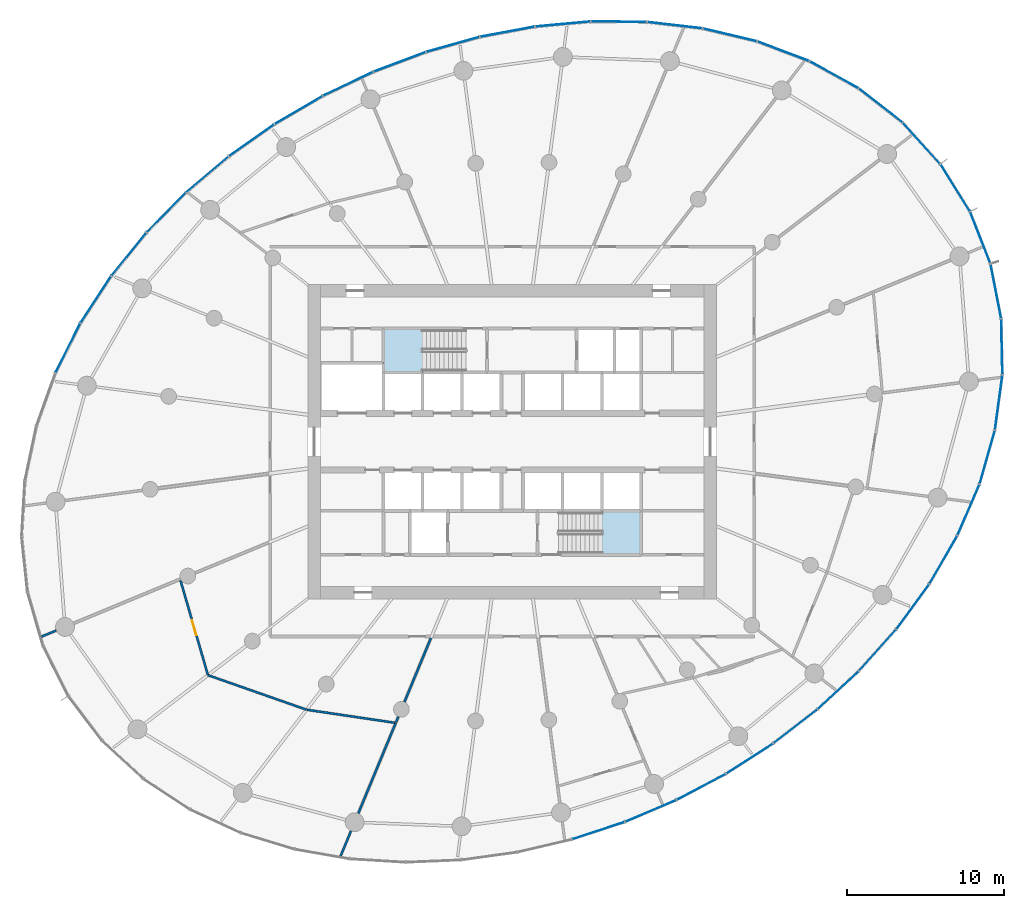
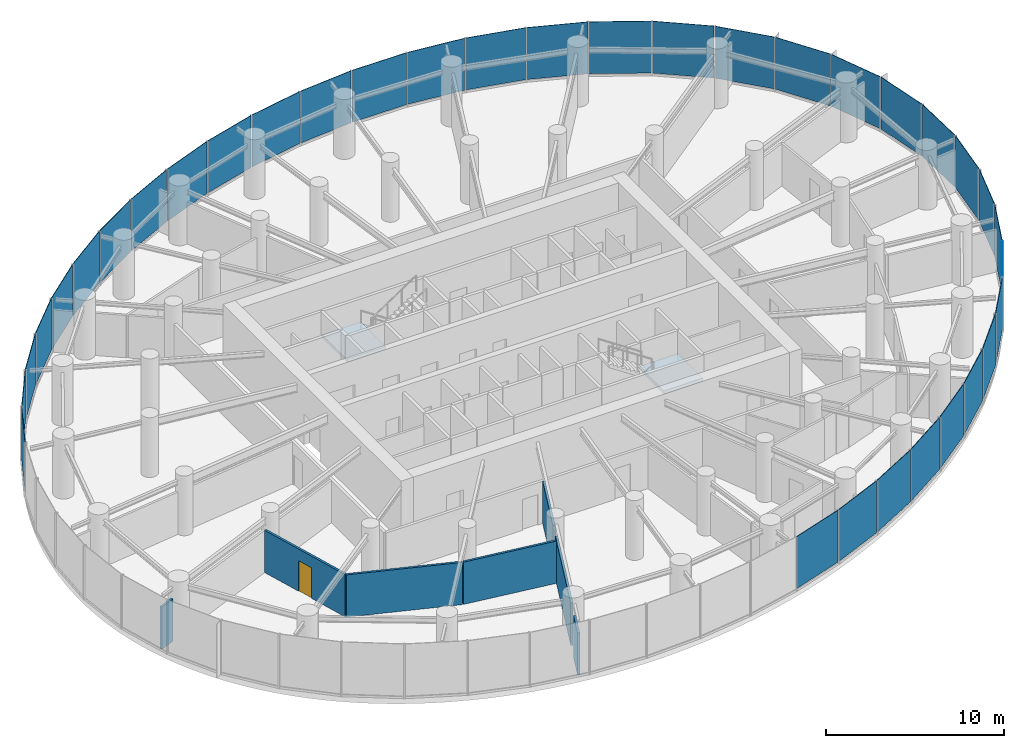
# One storey, part 9 of 17: 35 plates, 8 walls, 2 slabs, 1 door, 1 opening, 9 elements without a shape of their own.
"""IFC4 building model written with IfcOpenShell, lengths in metres."""

import ifcopenshell
import ifcopenshell.guid

model = None  # the IFC model being written
_history = None  # IfcOwnerHistory: only IFC2X3 demands one
_inside = {}  # id of a spatial element -> (the spatial element, [elements in it])
_under = {}  # id of a project, library or spatial element -> (it, [spatial elements below it])
_declared = {}  # id of a project -> (the project, [libraries it declares])
_typed = {}  # id of a type object -> (the type object, [elements of that type])
_made_of = {}  # id of a material, layer set ... -> (it, [elements and type objects made of it])


def new_model(schema):
    """Start an empty IFC model of exactly this schema.

    Asked for "IFC4X3", IfcOpenShell would pick the latest addendum, in which some entities
    have other attributes; the version numbers below select the first issue.
    IFC2X3 requires an IfcOwnerHistory on every rooted entity: one is made here for all.
    """
    global model, _history
    if schema == "IFC4X3":
        model = ifcopenshell.file(schema_version=(4, 3, 0, 0))
    else:
        model = ifcopenshell.file(schema=schema)
    _inside.clear()
    _under.clear()
    _declared.clear()
    _typed.clear()
    _made_of.clear()
    _history = None
    if model.schema == "IFC2X3":
        org = make("IfcOrganization", Name="unknown")
        user = make(
            "IfcPersonAndOrganization",
            ThePerson=make("IfcPerson", FamilyName="unknown"),
            TheOrganization=org,
        )
        app = make(
            "IfcApplication",
            ApplicationDeveloper=org,
            Version="unknown",
            ApplicationFullName="unknown",
            ApplicationIdentifier="unknown",
        )
        _history = make(
            "IfcOwnerHistory",
            OwningUser=user,
            OwningApplication=app,
            ChangeAction="ADDED",
            CreationDate=0,
        )
    return model


def make(cls, **values):
    """One entity of the class cls with the attributes given. An attribute that is None is left unset."""
    return model.create_entity(
        cls, **{name: value for name, value in values.items() if value is not None}
    )


def rooted(cls, **values):
    """An entity with a GlobalId (a new one), such as an element, a storey or a relation."""
    return make(cls, GlobalId=ifcopenshell.guid.new(), OwnerHistory=_history, **values)


def si_unit(unit_type, name, prefix=None):
    """IfcSIUnit, for example si_unit("LENGTHUNIT", "METRE", prefix="MILLI")."""
    return make("IfcSIUnit", UnitType=unit_type, Prefix=prefix, Name=name)


def assignment(units):
    """IfcUnitAssignment: the units of a project."""
    return None if units is None else make("IfcUnitAssignment", Units=units)


def point(xyz):
    """IfcCartesianPoint."""
    return None if xyz is None else make("IfcCartesianPoint", Coordinates=xyz)


def direction(xyz):
    """IfcDirection."""
    return None if xyz is None else make("IfcDirection", DirectionRatios=xyz)


def frame(location, z_axis=None, x_axis=None):
    """IfcAxis2Placement3D, a coordinate frame: its origin and axes. An axis left out is left unset."""
    return make(
        "IfcAxis2Placement3D",
        Location=point(location),
        Axis=direction(z_axis),
        RefDirection=direction(x_axis),
    )


def frame_2d(location, x_axis=None):
    """IfcAxis2Placement2D, a coordinate frame in the plane: its origin and x axis."""
    return make(
        "IfcAxis2Placement2D", Location=point(location), RefDirection=direction(x_axis)
    )


def origin():
    """The frame at (0, 0, 0) with its axes left unset."""
    return frame((0.0, 0.0, 0.0))


def origin_2d():
    """The frame at (0, 0) in the plane with its x axis left unset."""
    return frame_2d((0.0, 0.0))


def place(relative_to, where):
    """IfcLocalPlacement: puts the frame where relative to a parent placement (None: the world)."""
    return make(
        "IfcLocalPlacement", PlacementRelTo=relative_to, RelativePlacement=where
    )


def context(
    kind, dimensions, precision=None, world=None, true_north=None, identifier=None
):
    """IfcGeometricRepresentationContext, for example the 3D "Model" context."""
    return make(
        "IfcGeometricRepresentationContext",
        ContextIdentifier=identifier,
        ContextType=kind,
        CoordinateSpaceDimension=dimensions,
        Precision=precision,
        WorldCoordinateSystem=world,
        TrueNorth=true_north,
    )


def subcontext(parent, identifier, kind, view, scale=None):
    """IfcGeometricRepresentationSubContext, for example "Body" below "Model"."""
    return make(
        "IfcGeometricRepresentationSubContext",
        ContextIdentifier=identifier,
        ContextType=kind,
        ParentContext=parent,
        TargetScale=scale,
        TargetView=view,
    )


def project(units=None, contexts=None):
    """IfcProject with its units and contexts."""
    return rooted(
        "IfcProject",
        Name="project",
        RepresentationContexts=contexts,
        UnitsInContext=assignment(units),
    )


def spatial(cls, under=None, at=None, **own):
    """A site, building, storey or space (cls), placed at a placement, below another one or the project."""
    s = rooted(cls, ObjectPlacement=at, **own)
    if under is not None:
        _under.setdefault(under.id(), (under, []))[1].append(s)
    return s


def point_list(points):
    """IfcCartesianPointList2D or 3D."""
    cls = (
        "IfcCartesianPointList2D" if len(points[0]) == 2 else "IfcCartesianPointList3D"
    )
    return make(cls, CoordList=points)


def line(*indices):
    """IfcLineIndex: a straight run through numbered points of an indexed curve."""
    return model.create_entity("IfcLineIndex", indices)


def indexed_curve(points, segments=None, self_intersect=None):
    """IfcIndexedPolyCurve: lines and arcs through numbered points (the first is 1)."""
    return make(
        "IfcIndexedPolyCurve",
        Points=point_list(points),
        Segments=segments,
        SelfIntersect=self_intersect,
    )


def profile(cls, at=None, kind="AREA", **sizes):
    """A parametric profile (cls). Its sizes go by their IFC names, for example OverallWidth=200.0."""
    return make(cls, ProfileType=kind, Position=at, **sizes)


def rectangle(**sizes):
    """IfcRectangleProfileDef."""
    return profile("IfcRectangleProfileDef", **sizes)


def outline(outer, holes=None, kind="AREA"):
    """IfcArbitraryClosedProfileDef: a profile drawn as a closed curve; with holes, ...WithVoids."""
    if holes is None:
        return make("IfcArbitraryClosedProfileDef", ProfileType=kind, OuterCurve=outer)
    return make(
        "IfcArbitraryProfileDefWithVoids",
        ProfileType=kind,
        OuterCurve=outer,
        InnerCurves=holes,
    )


def extrude(swept, where, along, depth):
    """IfcExtrudedAreaSolid: the profile swept, set in the frame where, extruded along a direction by depth."""
    return make(
        "IfcExtrudedAreaSolid",
        SweptArea=swept,
        Position=where,
        ExtrudedDirection=direction(along),
        Depth=depth,
    )


def shape(context_of_items, identifier, shape_type, items):
    """IfcShapeRepresentation: the items that make up one representation, for example the "Body"."""
    return make(
        "IfcShapeRepresentation",
        ContextOfItems=context_of_items,
        RepresentationIdentifier=identifier,
        RepresentationType=shape_type,
        Items=items,
    )


def source(mapping_origin, context_of_items, identifier, shape_type, items):
    """IfcRepresentationMap: a shape defined once, which mapped items show again and again."""
    return make(
        "IfcRepresentationMap",
        MappingOrigin=mapping_origin,
        MappedRepresentation=shape(context_of_items, identifier, shape_type, items),
    )


def transform(
    local_origin,
    x_axis=None,
    y_axis=None,
    z_axis=None,
    scale=None,
    scale2=None,
    scale3=None,
    uniform=True,
):
    """IfcCartesianTransformationOperator3D, or its non-uniform kind. x_axis, y_axis, z_axis: its Axis1, 2, 3."""
    if uniform:
        return make(
            "IfcCartesianTransformationOperator3D",
            Axis1=direction(x_axis),
            Axis2=direction(y_axis),
            LocalOrigin=point(local_origin),
            Scale=scale,
            Axis3=direction(z_axis),
        )
    return make(
        "IfcCartesianTransformationOperator3DnonUniform",
        Axis1=direction(x_axis),
        Axis2=direction(y_axis),
        LocalOrigin=point(local_origin),
        Scale=scale,
        Axis3=direction(z_axis),
        Scale2=scale2,
        Scale3=scale3,
    )


def mapped(mapping_source, mapping_target):
    """IfcMappedItem: shows the shape of a source again, moved by a transform."""
    return make(
        "IfcMappedItem", MappingSource=mapping_source, MappingTarget=mapping_target
    )


def material(Name=None, Category=None):
    """IfcMaterial."""
    return make("IfcMaterial", Name=Name, Category=Category)


def layer(
    of_material, thickness, ventilated=None, Name=None, Category=None, Priority=None
):
    """IfcMaterialLayer: one layer of a wall or slab, of a material (None: an air gap)."""
    return make(
        "IfcMaterialLayer",
        Material=of_material,
        LayerThickness=thickness,
        IsVentilated=ventilated,
        Name=Name,
        Category=Category,
        Priority=Priority,
    )


def layer_set(layers, Name=None):
    """IfcMaterialLayerSet."""
    return make("IfcMaterialLayerSet", MaterialLayers=layers, LayerSetName=Name)


def made_of(thing, what):
    """Note that an element or type object is made of a material, layer set ...; save() writes the relation."""
    if what is not None:
        _made_of.setdefault(what.id(), (what, []))[1].append(thing)
    return thing


def type_object(cls, material=None, **own):
    """A type object (cls), such as IfcWallType, which elements share."""
    return made_of(rooted(cls, **own), material)


def element(
    cls,
    number,
    at=None,
    inside=None,
    cuts=None,
    type_object=None,
    material=None,
    context=None,
    identifier="Body",
    shape_type=None,
    held_by="IfcProductDefinitionShape",
    body=None,
    shapes=None,
    **own,
):
    """One element of the class cls, such as IfcWall. Its Tag is "e" and its number.

    at: its placement. inside: the storey or other place that contains it. cuts: it is an
    opening in that element (IfcRelVoidsElement). A single representation is given by context,
    identifier, shape_type and body (its items); several are given by shapes. held_by: the class
    of the entity that holds the representations. save() writes the other relations.
    """
    e = rooted(cls, Tag="e%d" % number, ObjectPlacement=at, **own)
    if body is not None:
        shapes = [shape(context, identifier, shape_type, body)]
    if shapes is not None:
        e.Representation = make(held_by, Representations=shapes)
    if inside is not None:
        _inside.setdefault(inside.id(), (inside, []))[1].append(e)
    if cuts is not None:
        rooted(
            "IfcRelVoidsElement", RelatingBuildingElement=cuts, RelatedOpeningElement=e
        )
    if type_object is not None:
        _typed.setdefault(type_object.id(), (type_object, []))[1].append(e)
    return made_of(e, material)


def fill(opening, filler):
    """IfcRelFillsElement: the door or window that sits in an opening."""
    return rooted(
        "IfcRelFillsElement",
        RelatingOpeningElement=opening,
        RelatedBuildingElement=filler,
    )


def aggregate(whole, parts):
    """IfcRelAggregates: a whole, such as a stair, and the parts it consists of."""
    return rooted("IfcRelAggregates", RelatingObject=whole, RelatedObjects=parts)


def save(model, path):
    """Write the relations noted so far, then the file.

    IfcRelAggregates (storeys below a building ...), IfcRelContainedInSpatialStructure (elements
    in a storey), IfcRelDefinesByType, IfcRelAssociatesMaterial and IfcRelDeclares: one each for
    every whole, place, type object, material and project.
    """
    for whole, parts in _under.values():
        aggregate(whole, parts)
    for where, things in _inside.values():
        rooted(
            "IfcRelContainedInSpatialStructure",
            RelatedElements=things,
            RelatingStructure=where,
        )
    for kind, things in _typed.values():
        rooted("IfcRelDefinesByType", RelatedObjects=things, RelatingType=kind)
    for what, things in _made_of.values():
        rooted("IfcRelAssociatesMaterial", RelatedObjects=things, RelatingMaterial=what)
    for by, libraries in _declared.values():
        rooted("IfcRelDeclares", RelatingContext=by, RelatedDefinitions=libraries)
    model.write(path)


model = new_model("IFC4")

# Units and contexts
model_context = context("Model", 3, precision=1e-05, world=origin(), true_north=direction((0.0, 1.0)))
body_context = subcontext(model_context, "Body", "Model", "MODEL_VIEW")
ifc_project = project(units=[si_unit("LENGTHUNIT", "METRE"), si_unit("AREAUNIT", "SQUARE_METRE"), si_unit("VOLUMEUNIT", "CUBIC_METRE"), si_unit("PLANEANGLEUNIT", "RADIAN"), si_unit("MASSUNIT", "GRAM", prefix="KILO")], contexts=[model_context])

# Site, building, storey
site_placement = place(None, origin())
site = spatial("IfcSite", under=ifc_project, at=site_placement, CompositionType="ELEMENT")
building_placement = place(site_placement, origin())
building = spatial("IfcBuilding", under=site, at=building_placement, Name="Spindrift Exchange Tower", CompositionType="ELEMENT")
storey_placement = place(building_placement, frame((0.0, 0.0, 104.39990234375)))
storey = spatial("IfcBuildingStorey", under=building, at=storey_placement, Name="L24", CompositionType="ELEMENT", Elevation=104.39990234375)

# Stair, slab
ifc_material_1 = material(Name="Concrete 50 MPa", Category="concrete")
stair_type = type_object("IfcStairType", Name="ST-1250-R186", PredefinedType="HALF_TURN_STAIR", material=ifc_material_1)
stair_1_placement = place(storey_placement, origin())
stair_1 = element("IfcStair", 1, at=stair_1_placement, inside=storey, type_object=stair_type, Name="L24 Exit stair ST1", PredefinedType="HALF_TURN_STAIR")
ifc_layer_1 = layer(ifc_material_1, 0.199951171875)
ifc_layer_set_1 = layer_set([ifc_layer_1], Name="SL-LANDING")
slab_type = type_object("IfcSlabType", Name="SL-LANDING", PredefinedType="LANDING", material=ifc_layer_set_1)
slab_1_placement = place(storey_placement, frame((0.0, 0.0, 1.85009765625)))
slab_1 = element("IfcSlab", 2, at=slab_1_placement, type_object=slab_type, Name="ST1 landing 1", PredefinedType="LANDING", context=body_context, shape_type="SweptSolid", body=[
    extrude(outline(indexed_curve([(46.330078125, 52.39990234375), (43.800048828125, 52.39990234375), (43.800048828125, 55.199951171875), (46.330078125, 55.199951171875)], segments=[line(1, 2, 3, 4, 1)], self_intersect=False)), origin(), (0.0, 0.0, 1.0), 0.199951171875),
])
aggregate(stair_1, [slab_1])

stair_2_placement = place(storey_placement, origin())
stair_2 = element("IfcStair", 3, at=stair_2_placement, inside=storey, type_object=stair_type, Name="L24 Exit stair ST2", PredefinedType="HALF_TURN_STAIR")
slab_2_placement = place(storey_placement, frame((0.0, 0.0, 1.85009765625)))
slab_2 = element("IfcSlab", 4, at=slab_2_placement, type_object=slab_type, Name="ST2 landing 1", PredefinedType="LANDING", context=body_context, shape_type="SweptSolid", body=[
    extrude(outline(indexed_curve([(57.669921875, 43.60009765625), (60.199951171875, 43.60009765625), (60.199951171875, 40.800048828125), (57.669921875, 40.800048828125)], segments=[line(1, 2, 3, 4, 1)], self_intersect=False)), origin(), (0.0, 0.0, 1.0), 0.199951171875),
])
aggregate(stair_2, [slab_2])

# Curtain wall, plate
ifc_material_2 = material(Name="Fritted laminated glass with bronze frame", Category="glass")
ifc_layer_2 = layer(ifc_material_2, 0.18994140625)
ifc_layer_set_2 = layer_set([ifc_layer_2], Name="ZONE 2 BRONZE FRITTED WALL")
curtain_wall_type = type_object("IfcCurtainWallType", Name="ZONE 2 BRONZE FRITTED WALL", PredefinedType="NOTDEFINED", material=ifc_layer_set_2)
curtain_wall_1_placement = place(storey_placement, origin())
curtain_wall_1 = element("IfcCurtainWall", 5, at=curtain_wall_1_placement, inside=storey, type_object=curtain_wall_type, Name="L24 Zone 2 Bronze Fritted Wall run 3", PredefinedType="NOTDEFINED")
ifc_material_3 = material(Name="Bronze fritted laminated glass, close frit", Category="glass")
ifc_layer_3 = layer(ifc_material_3, 0.033935546875)
ifc_layer_set_3 = layer_set([ifc_layer_3], Name="ZONE 2 BRONZE FRITTED WALL PANEL CLOSE FRIT 420")
plate_type_1 = type_object("IfcPlateType", Name="ZONE 2 BRONZE FRITTED WALL PANEL CLOSE FRIT 420", PredefinedType="CURTAIN_PANEL", material=ifc_layer_set_3)
shared_shape_1 = source(origin(), body_context, "Body", "SweptSolid", [
    extrude(rectangle(XDim=3.491455078125, YDim=0.033935546875, at=origin_2d()), origin(), (0.0, 0.0, 1.0), 3.56005859375),
])
plate_1_placement = place(storey_placement, frame((32.593505859375, 64.991455078125, 0.14013671875), z_axis=(0.0, 0.0, 1.0), x_axis=(-0.763801661286, -0.645451022322, 0.0)))
plate_1 = element("IfcPlate", 6, at=plate_1_placement, type_object=plate_type_1, Name="L24 panel CW-2.16", PredefinedType="CURTAIN_PANEL", context=body_context, shape_type="MappedRepresentation", body=[
    mapped(shared_shape_1, transform((0.0, 0.0, 0.0), scale=1.0)),
])

curtain_wall_2_placement = place(storey_placement, origin())
curtain_wall_2 = element("IfcCurtainWall", 7, at=curtain_wall_2_placement, inside=storey, type_object=curtain_wall_type, Name="L24 Zone 2 Bronze Fritted Wall run 7", PredefinedType="NOTDEFINED")
plate_2_placement = place(storey_placement, frame((72.740966796875, 32.189208984375, 0.14013671875), z_axis=(0.0, 0.0, 1.0), x_axis=(0.733996623897, 0.679153116836, 0.0)))
plate_2 = element("IfcPlate", 8, at=plate_2_placement, type_object=plate_type_1, Name="L24 panel CW-2.42", PredefinedType="CURTAIN_PANEL", context=body_context, shape_type="MappedRepresentation", body=[
    mapped(shared_shape_1, transform((0.0, 0.0, 0.0), scale=1.0)),
])

# Curtain wall, plates
curtain_wall_3_placement = place(storey_placement, origin())
curtain_wall_3 = element("IfcCurtainWall", 9, at=curtain_wall_3_placement, inside=storey, type_object=curtain_wall_type, Name="L24 Zone 2 Bronze Fritted Wall run 2", PredefinedType="NOTDEFINED")
ifc_layer_4 = layer(ifc_material_3, 0.033935546875)
ifc_layer_set_4 = layer_set([ifc_layer_4], Name="ZONE 2 BRONZE FRITTED WALL PANEL CLOSE FRIT 300")
plate_type_2 = type_object("IfcPlateType", Name="ZONE 2 BRONZE FRITTED WALL PANEL CLOSE FRIT 300", PredefinedType="CURTAIN_PANEL", material=ifc_layer_set_4)
shared_shape_2 = source(origin(), body_context, "Body", "SweptSolid", [
    extrude(rectangle(XDim=3.491455078125, YDim=0.033935546875, at=origin_2d()), origin(), (0.0, 0.0, 1.0), 3.56005859375),
])
plate_3_placement = place(storey_placement, frame((55.22412109375, 74.5673828125, 0.14013671875), z_axis=(0.0, 0.0, 1.0), x_axis=(-0.995856987441, -0.09093327535, 0.0)))
plate_3 = element("IfcPlate", 10, at=plate_3_placement, type_object=plate_type_2, Name="L24 panel CW-2.9", PredefinedType="CURTAIN_PANEL", context=body_context, shape_type="MappedRepresentation", body=[
    mapped(shared_shape_2, transform((0.0, 0.0, 0.0), scale=1.0)),
])
plate_4_placement = place(storey_placement, frame((51.6953125, 74.078125, 0.14013671875), z_axis=(0.0, 0.0, 1.0), x_axis=(-0.983016800701, -0.183515583914, 0.0)))
plate_4 = element("IfcPlate", 11, at=plate_4_placement, type_object=plate_type_2, Name="L24 panel CW-2.10", PredefinedType="CURTAIN_PANEL", context=body_context, shape_type="MappedRepresentation", body=[
    mapped(shared_shape_2, transform((0.0, 0.0, 0.0), scale=1.0)),
])
shared_shape_3 = source(origin(), body_context, "Body", "SweptSolid", [
    extrude(rectangle(XDim=3.49169921875, YDim=0.033935546875, at=origin_2d()), origin(), (0.0, 0.0, 1.0), 3.56005859375),
])
plate_5_placement = place(storey_placement, frame((48.225341796875, 73.26904296875, 0.14013671875), z_axis=(0.0, 0.0, 1.0), x_axis=(-0.962788503614, -0.270255984779, 0.0)))
plate_5 = element("IfcPlate", 12, at=plate_5_placement, type_object=plate_type_1, Name="L24 panel CW-2.11", PredefinedType="CURTAIN_PANEL", context=body_context, shape_type="MappedRepresentation", body=[
    mapped(shared_shape_3, transform((0.0, 0.0, 0.0), scale=1.0)),
])

# Plate
plate_6_placement = place(storey_placement, frame((38.410400390625, 69.097412109375, 0.14013671875), z_axis=(0.0, 0.0, 1.0), x_axis=(-0.863390267159, -0.504536665244, 0.0)))
plate_6 = element("IfcPlate", 13, at=plate_6_placement, type_object=plate_type_1, Name="L24 panel CW-2.14", PredefinedType="CURTAIN_PANEL", context=body_context, shape_type="MappedRepresentation", body=[
    mapped(shared_shape_3, transform((0.0, 0.0, 0.0), scale=1.0)),
])

plate_7_placement = place(storey_placement, frame((57.479736328125, 23.24951171875, 0.14013671875), z_axis=(0.0, 0.0, 1.0), x_axis=(0.950164301143, 0.311749580326, 0.0)))
plate_7 = element("IfcPlate", 14, at=plate_7_placement, type_object=plate_type_1, Name="L24 panel CW-2.37", PredefinedType="CURTAIN_PANEL", context=body_context, shape_type="MappedRepresentation", body=[
    mapped(shared_shape_3, transform((0.0, 0.0, 0.0), scale=1.0)),
])

plate_8_placement = place(storey_placement, frame((70.0205078125, 29.888427734375, 0.14013671875), z_axis=(0.0, 0.0, 1.0), x_axis=(0.79152762014, 0.611133395059, 0.0)))
plate_8 = element("IfcPlate", 15, at=plate_8_placement, type_object=plate_type_1, Name="L24 panel CW-2.41", PredefinedType="CURTAIN_PANEL", context=body_context, shape_type="MappedRepresentation", body=[
    mapped(shared_shape_3, transform((0.0, 0.0, 0.0), scale=1.0)),
])

shared_shape_4 = source(origin(), body_context, "Body", "SweptSolid", [
    extrude(rectangle(XDim=3.49169921875, YDim=0.033935546875, at=origin_2d()), origin(), (0.0, 0.0, 1.0), 3.56005859375),
])
plate_9_placement = place(storey_placement, frame((64.0322265625, 26.035888671875, 0.14013671875), z_axis=(0.0, 0.0, 1.0), x_axis=(0.883906877446, 0.467662947007, 0.0)))
plate_9 = element("IfcPlate", 16, at=plate_9_placement, type_object=plate_type_2, Name="L24 panel CW-2.39", PredefinedType="CURTAIN_PANEL", context=body_context, shape_type="MappedRepresentation", body=[
    mapped(shared_shape_4, transform((0.0, 0.0, 0.0), scale=1.0)),
])

ifc_layer_5 = layer(ifc_material_3, 0.033935546875)
ifc_layer_set_5 = layer_set([ifc_layer_5], Name="ZONE 2 BRONZE FRITTED WALL PANEL CLOSE FRIT 540")
plate_type_3 = type_object("IfcPlateType", Name="ZONE 2 BRONZE FRITTED WALL PANEL CLOSE FRIT 540", PredefinedType="CURTAIN_PANEL", material=ifc_layer_set_5)
shared_shape_5 = source(origin(), body_context, "Body", "SweptSolid", [
    extrude(rectangle(XDim=3.49169921875, YDim=0.033935546875, at=origin_2d()), origin(), (0.0, 0.0, 1.0), 3.56005859375),
])
plate_10_placement = place(storey_placement, frame((44.83935546875, 72.158935546875, 0.14013671875), z_axis=(0.0, 0.0, 1.0), x_axis=(-0.935944038401, -0.352148771092, 0.0)))
plate_10 = element("IfcPlate", 17, at=plate_10_placement, type_object=plate_type_3, Name="L24 panel CW-2.12", PredefinedType="CURTAIN_PANEL", context=body_context, shape_type="MappedRepresentation", body=[
    mapped(shared_shape_5, transform((0.0, 0.0, 0.0), scale=1.0)),
])

plate_11_placement = place(storey_placement, frame((41.560302734375, 70.76416015625, 0.14013671875), z_axis=(0.0, 0.0, 1.0), x_axis=(-0.902825586322, -0.43000693097, 0.0)))
plate_11 = element("IfcPlate", 18, at=plate_11_placement, type_object=plate_type_3, Name="L24 panel CW-2.13", PredefinedType="CURTAIN_PANEL", context=body_context, shape_type="MappedRepresentation", body=[
    mapped(shared_shape_5, transform((0.0, 0.0, 0.0), scale=1.0)),
])

plate_12_placement = place(storey_placement, frame((35.4130859375, 67.170166015625, 0.14013671875), z_axis=(0.0, 0.0, 1.0), x_axis=(-0.817277677121, -0.576244044204, 0.0)))
plate_12 = element("IfcPlate", 19, at=plate_12_placement, type_object=plate_type_3, Name="L24 panel CW-2.15", PredefinedType="CURTAIN_PANEL", context=body_context, shape_type="MappedRepresentation", body=[
    mapped(shared_shape_5, transform((0.0, 0.0, 0.0), scale=1.0)),
])

plate_13_placement = place(storey_placement, frame((60.81494140625, 24.503662109375, 0.14013671875), z_axis=(0.0, 0.0, 1.0), x_axis=(0.920160108943, 0.391542301558, 0.0)))
plate_13 = element("IfcPlate", 20, at=plate_13_placement, type_object=plate_type_3, Name="L24 panel CW-2.38", PredefinedType="CURTAIN_PANEL", context=body_context, shape_type="MappedRepresentation", body=[
    mapped(shared_shape_5, transform((0.0, 0.0, 0.0), scale=1.0)),
])

plate_14_placement = place(storey_placement, frame((67.10888671875, 27.834228515625, 0.14013671875), z_axis=(0.0, 0.0, 1.0), x_axis=(0.841199486299, 0.540724906261, 0.0)))
plate_14 = element("IfcPlate", 21, at=plate_14_placement, type_object=plate_type_3, Name="L24 panel CW-2.40", PredefinedType="CURTAIN_PANEL", context=body_context, shape_type="MappedRepresentation", body=[
    mapped(shared_shape_5, transform((0.0, 0.0, 0.0), scale=1.0)),
])

aggregate(curtain_wall_2, [plate_7, plate_13, plate_9, plate_14, plate_8, plate_2])

shared_shape_6 = source(origin(), body_context, "Body", "SweptSolid", [
    extrude(rectangle(XDim=3.4912109375, YDim=0.033935546875, at=origin_2d()), origin(), (0.0, 0.0, 1.0), 3.56005859375),
])
plate_15_placement = place(storey_placement, frame((27.6044921875, 59.915771484375, 0.14013671875), z_axis=(0.0, 0.0, 1.0), x_axis=(-0.630232797468, -0.776406221636, 0.0)))
plate_15 = element("IfcPlate", 22, at=plate_15_placement, type_object=plate_type_2, Name="L24 panel CW-2.18", PredefinedType="CURTAIN_PANEL", context=body_context, shape_type="MappedRepresentation", body=[
    mapped(shared_shape_6, transform((0.0, 0.0, 0.0), scale=1.0)),
])

# Curtain wall, plate
curtain_wall_4_placement = place(storey_placement, origin())
curtain_wall_4 = element("IfcCurtainWall", 23, at=curtain_wall_4_placement, inside=storey, type_object=curtain_wall_type, Name="L24 Zone 2 Bronze Fritted Wall run 4", PredefinedType="NOTDEFINED")
shared_shape_7 = source(origin(), body_context, "Body", "SweptSolid", [
    extrude(rectangle(XDim=3.49072265625, YDim=0.033935546875, at=origin_2d()), origin(), (0.0, 0.0, 1.0), 3.56005859375),
])
plate_16_placement = place(storey_placement, frame((23.727783203125, 53.953857421875, 0.14013671875), z_axis=(0.0, 0.0, 1.0), x_axis=(-0.450037656846, -0.893009578571, 0.0)))
plate_16 = element("IfcPlate", 24, at=plate_16_placement, type_object=plate_type_1, Name="L24 panel CW-2.20", PredefinedType="CURTAIN_PANEL", context=body_context, shape_type="MappedRepresentation", body=[
    mapped(shared_shape_7, transform((0.0, 0.0, 0.0), scale=1.0)),
])

curtain_wall_5_placement = place(storey_placement, origin())
curtain_wall_5 = element("IfcCurtainWall", 25, at=curtain_wall_5_placement, inside=storey, type_object=curtain_wall_type, Name="L24 Zone 2 Bronze Fritted Wall run 8", PredefinedType="NOTDEFINED")
plate_17_placement = place(storey_placement, frame((79.426513671875, 40.47900390625, 0.14013671875), z_axis=(0.0, 0.0, 1.0), x_axis=(0.50033400418, 0.865832480484, 0.0)))
plate_17 = element("IfcPlate", 26, at=plate_17_placement, type_object=plate_type_1, Name="L24 panel CW-2.45", PredefinedType="CURTAIN_PANEL", context=body_context, shape_type="MappedRepresentation", body=[
    mapped(shared_shape_7, transform((0.0, 0.0, 0.0), scale=1.0)),
])

curtain_wall_6_placement = place(storey_placement, origin())
curtain_wall_6 = element("IfcCurtainWall", 27, at=curtain_wall_6_placement, inside=storey, type_object=curtain_wall_type, Name="L24 Zone 2 Bronze Fritted Wall run 1", PredefinedType="NOTDEFINED")
shared_shape_8 = source(origin(), body_context, "Body", "SweptSolid", [
    extrude(rectangle(XDim=3.48779296875, YDim=0.033935546875, at=origin_2d()), origin(), (0.0, 0.0, 1.0), 3.56005859375),
])
plate_18_placement = place(storey_placement, frame((80.18505859375, 64.145751953125, 0.14013671875), z_axis=(0.0, 0.0, 1.0), x_axis=(-0.529282662104, 0.848445557238, 0.0)))
plate_18 = element("IfcPlate", 28, at=plate_18_placement, type_object=plate_type_1, Name="L24 panel CW-2.1", PredefinedType="CURTAIN_PANEL", context=body_context, shape_type="MappedRepresentation", body=[
    mapped(shared_shape_8, transform((0.0, 0.0, 0.0), scale=1.0)),
])

curtain_wall_7_placement = place(storey_placement, origin())
curtain_wall_7 = element("IfcCurtainWall", 29, at=curtain_wall_7_placement, inside=storey, type_object=curtain_wall_type, Name="L24 Zone 2 Bronze Fritted Wall run 9", PredefinedType="NOTDEFINED")
shared_shape_9 = source(origin(), body_context, "Body", "SweptSolid", [
    extrude(rectangle(XDim=3.48779296875, YDim=0.033935546875, at=origin_2d()), origin(), (0.0, 0.0, 1.0), 3.56005859375),
])
plate_19_placement = place(storey_placement, frame((81.777587890625, 60.9755859375, 0.14013671875), z_axis=(0.0, 0.0, 1.0), x_axis=(-0.364805283308, 0.931083833643, 0.0)))
plate_19 = element("IfcPlate", 30, at=plate_19_placement, type_object=plate_type_2, Name="L24 panel CW-2.51", PredefinedType="CURTAIN_PANEL", context=body_context, shape_type="MappedRepresentation", body=[
    mapped(shared_shape_9, transform((0.0, 0.0, 0.0), scale=1.0)),
])

# Plate
shared_shape_10 = source(origin(), body_context, "Body", "SweptSolid", [
    extrude(rectangle(XDim=3.4912109375, YDim=0.033935546875, at=origin_2d()), origin(), (0.0, 0.0, 1.0), 3.56005859375),
])
plate_20_placement = place(storey_placement, frame((58.78271484375, 74.714599609375, 0.14013671875), z_axis=(0.0, 0.0, 1.0), x_axis=(-0.999964849768, 0.008384463487, 0.0)))
plate_20 = element("IfcPlate", 31, at=plate_20_placement, type_object=plate_type_1, Name="L24 panel CW-2.8", PredefinedType="CURTAIN_PANEL", context=body_context, shape_type="MappedRepresentation", body=[
    mapped(shared_shape_10, transform((0.0, 0.0, 0.0), scale=1.0)),
])

plate_21_placement = place(storey_placement, frame((77.482421875, 37.495849609375, 0.14013671875), z_axis=(0.0, 0.0, 1.0), x_axis=(0.590160519803, 0.807285922623, 0.0)))
plate_21 = element("IfcPlate", 32, at=plate_21_placement, type_object=plate_type_1, Name="L24 panel CW-2.44", PredefinedType="CURTAIN_PANEL", context=body_context, shape_type="MappedRepresentation", body=[
    mapped(shared_shape_10, transform((0.0, 0.0, 0.0), scale=1.0)),
])

shared_shape_11 = source(origin(), body_context, "Body", "SweptSolid", [
    extrude(rectangle(XDim=3.491455078125, YDim=0.033935546875, at=origin_2d()), origin(), (0.0, 0.0, 1.0), 3.56005859375),
])
plate_22_placement = place(storey_placement, frame((29.97998046875, 62.5703125, 0.14013671875), z_axis=(0.0, 0.0, 1.0), x_axis=(-0.701929328769, -0.712246598738, 0.0)))
plate_22 = element("IfcPlate", 33, at=plate_22_placement, type_object=plate_type_3, Name="L24 panel CW-2.17", PredefinedType="CURTAIN_PANEL", context=body_context, shape_type="MappedRepresentation", body=[
    mapped(shared_shape_11, transform((0.0, 0.0, 0.0), scale=1.0)),
])

aggregate(curtain_wall_1, [plate_11, plate_6, plate_12, plate_1, plate_22, plate_15])

plate_23_placement = place(storey_placement, frame((75.239990234375, 34.728271484375, 0.14013671875), z_axis=(0.0, 0.0, 1.0), x_axis=(0.667397253325, 0.744701890863, 0.0)))
plate_23 = element("IfcPlate", 34, at=plate_23_placement, type_object=plate_type_3, Name="L24 panel CW-2.43", PredefinedType="CURTAIN_PANEL", context=body_context, shape_type="MappedRepresentation", body=[
    mapped(shared_shape_11, transform((0.0, 0.0, 0.0), scale=1.0)),
])

shared_shape_12 = source(origin(), body_context, "Body", "SweptSolid", [
    extrude(rectangle(XDim=3.490478515625, YDim=0.033935546875, at=origin_2d()), origin(), (0.0, 0.0, 1.0), 3.56005859375),
])
plate_24_placement = place(storey_placement, frame((65.842529296875, 73.877197265625, 0.14013671875), z_axis=(0.0, 0.0, 1.0), x_axis=(-0.973036149037, 0.230652666724, 0.0)))
plate_24 = element("IfcPlate", 35, at=plate_24_placement, type_object=plate_type_1, Name="L24 panel CW-2.6", PredefinedType="CURTAIN_PANEL", context=body_context, shape_type="MappedRepresentation", body=[
    mapped(shared_shape_12, transform((0.0, 0.0, 0.0), scale=1.0)),
])

shared_shape_13 = source(origin(), body_context, "Body", "SweptSolid", [
    extrude(rectangle(XDim=3.489990234375, YDim=0.033935546875, at=origin_2d()), origin(), (0.0, 0.0, 1.0), 3.56005859375),
])
plate_25_placement = place(storey_placement, frame((69.244384765625, 72.835205078125, 0.14013671875), z_axis=(0.0, 0.0, 1.0), x_axis=(-0.935288474001, 0.35388623935, 0.0)))
plate_25 = element("IfcPlate", 36, at=plate_25_placement, type_object=plate_type_1, Name="L24 panel CW-2.5", PredefinedType="CURTAIN_PANEL", context=body_context, shape_type="MappedRepresentation", body=[
    mapped(shared_shape_13, transform((0.0, 0.0, 0.0), scale=1.0)),
])

plate_26_placement = place(storey_placement, frame((82.218994140625, 47.01123046875, 0.14013671875), z_axis=(0.0, 0.0, 1.0), x_axis=(0.274353656119, 0.961628863634, 0.0)))
plate_26 = element("IfcPlate", 37, at=plate_26_placement, type_object=plate_type_1, Name="L24 panel CW-2.47", PredefinedType="CURTAIN_PANEL", context=body_context, shape_type="MappedRepresentation", body=[
    mapped(shared_shape_13, transform((0.0, 0.0, 0.0), scale=1.0)),
])

shared_shape_14 = source(origin(), body_context, "Body", "SweptSolid", [
    extrude(rectangle(XDim=3.488037109375, YDim=0.033935546875, at=origin_2d()), origin(), (0.0, 0.0, 1.0), 3.56005859375),
])
plate_27_placement = place(storey_placement, frame((78.04296875, 66.974609375, 0.14013671875), z_axis=(0.0, 0.0, 1.0), x_axis=(-0.673096417665, 0.739554739371, 0.0)))
plate_27 = element("IfcPlate", 38, at=plate_27_placement, type_object=plate_type_3, Name="L24 panel CW-2.2", PredefinedType="CURTAIN_PANEL", context=body_context, shape_type="MappedRepresentation", body=[
    mapped(shared_shape_14, transform((0.0, 0.0, 0.0), scale=1.0)),
])

plate_28_placement = place(storey_placement, frame((82.768798828125, 57.568603515625, 0.14013671875), z_axis=(0.0, 0.0, 1.0), x_axis=(-0.191547357518, 0.981483372161, 0.0)))
plate_28 = element("IfcPlate", 39, at=plate_28_placement, type_object=plate_type_3, Name="L24 panel CW-2.50", PredefinedType="CURTAIN_PANEL", context=body_context, shape_type="MappedRepresentation", body=[
    mapped(shared_shape_14, transform((0.0, 0.0, 0.0), scale=1.0)),
])

shared_shape_15 = source(origin(), body_context, "Body", "SweptSolid", [
    extrude(rectangle(XDim=3.489501953125, YDim=0.033935546875, at=origin_2d()), origin(), (0.0, 0.0, 1.0), 3.56005859375),
])
plate_29_placement = place(storey_placement, frame((72.471923828125, 71.343017578125, 0.14013671875), z_axis=(0.0, 0.0, 1.0), x_axis=(-0.875453561445, 0.483302246791, 0.0)))
plate_29 = element("IfcPlate", 40, at=plate_29_placement, type_object=plate_type_1, Name="L24 panel CW-2.4", PredefinedType="CURTAIN_PANEL", context=body_context, shape_type="MappedRepresentation", body=[
    mapped(shared_shape_15, transform((0.0, 0.0, 0.0), scale=1.0)),
])

shared_shape_16 = source(origin(), body_context, "Body", "SweptSolid", [
    extrude(rectangle(XDim=3.48876953125, YDim=0.033935546875, at=origin_2d()), origin(), (0.0, 0.0, 1.0), 3.56005859375),
])
plate_30_placement = place(storey_placement, frame((75.43798828125, 69.386962890625, 0.14013671875), z_axis=(0.0, 0.0, 1.0), x_axis=(-0.789005812945, 0.614385731555, 0.0)))
plate_30 = element("IfcPlate", 41, at=plate_30_placement, type_object=plate_type_2, Name="L24 panel CW-2.3", PredefinedType="CURTAIN_PANEL", context=body_context, shape_type="MappedRepresentation", body=[
    mapped(shared_shape_16, transform((0.0, 0.0, 0.0), scale=1.0)),
])

aggregate(curtain_wall_6, [plate_18, plate_27, plate_30, plate_29, plate_25, plate_24])

plate_31_placement = place(storey_placement, frame((83.149169921875, 54.03857421875, 0.14013671875), z_axis=(0.0, 0.0, 1.0), x_axis=(-0.021971927017, 0.999758588072, 0.0)))
plate_31 = element("IfcPlate", 42, at=plate_31_placement, type_object=plate_type_2, Name="L24 panel CW-2.49", PredefinedType="CURTAIN_PANEL", context=body_context, shape_type="MappedRepresentation", body=[
    mapped(shared_shape_16, transform((0.0, 0.0, 0.0), scale=1.0)),
])

aggregate(curtain_wall_7, [plate_31, plate_28, plate_19])

shared_shape_17 = source(origin(), body_context, "Body", "SweptSolid", [
    extrude(rectangle(XDim=3.490478515625, YDim=0.033935546875, at=origin_2d()), origin(), (0.0, 0.0, 1.0), 3.56005859375),
])
plate_32_placement = place(storey_placement, frame((81.024169921875, 43.659912109375, 0.14013671875), z_axis=(0.0, 0.0, 1.0), x_axis=(0.39576349824, 0.9183524669, 0.0)))
plate_32 = element("IfcPlate", 43, at=plate_32_placement, type_object=plate_type_3, Name="L24 panel CW-2.46", PredefinedType="CURTAIN_PANEL", context=body_context, shape_type="MappedRepresentation", body=[
    mapped(shared_shape_17, transform((0.0, 0.0, 0.0), scale=1.0)),
])

shared_shape_18 = source(origin(), body_context, "Body", "SweptSolid", [
    extrude(rectangle(XDim=3.490966796875, YDim=0.033935546875, at=origin_2d()), origin(), (0.0, 0.0, 1.0), 3.56005859375),
])
plate_33_placement = place(storey_placement, frame((62.3369140625, 74.494140625, 0.14013671875), z_axis=(0.0, 0.0, 1.0), x_axis=(-0.993322520247, 0.115370580174, 0.0)))
plate_33 = element("IfcPlate", 44, at=plate_33_placement, type_object=plate_type_1, Name="L24 panel CW-2.7", PredefinedType="CURTAIN_PANEL", context=body_context, shape_type="MappedRepresentation", body=[
    mapped(shared_shape_18, transform((0.0, 0.0, 0.0), scale=1.0)),
])

aggregate(curtain_wall_3, [plate_33, plate_20, plate_3, plate_4, plate_5, plate_10])

plate_34_placement = place(storey_placement, frame((25.50537109375, 57.038818359375, 0.14013671875), z_axis=(0.0, 0.0, 1.0), x_axis=(-0.546936545922, -0.837174064777, 0.0)))
plate_34 = element("IfcPlate", 45, at=plate_34_placement, type_object=plate_type_1, Name="L24 panel CW-2.19", PredefinedType="CURTAIN_PANEL", context=body_context, shape_type="MappedRepresentation", body=[
    mapped(shared_shape_18, transform((0.0, 0.0, 0.0), scale=1.0)),
])

aggregate(curtain_wall_4, [plate_34, plate_16])

shared_shape_19 = source(origin(), body_context, "Body", "SweptSolid", [
    extrude(rectangle(XDim=3.4892578125, YDim=0.033935546875, at=origin_2d()), origin(), (0.0, 0.0, 1.0), 3.56005859375),
])
plate_35_placement = place(storey_placement, frame((82.947998046875, 50.4912109375, 0.14013671875), z_axis=(0.0, 0.0, 1.0), x_axis=(0.134807695464, 0.990871780425, 0.0)))
plate_35 = element("IfcPlate", 46, at=plate_35_placement, type_object=plate_type_2, Name="L24 panel CW-2.48", PredefinedType="CURTAIN_PANEL", context=body_context, shape_type="MappedRepresentation", body=[
    mapped(shared_shape_19, transform((0.0, 0.0, 0.0), scale=1.0)),
])

aggregate(curtain_wall_5, [plate_23, plate_21, plate_17, plate_32, plate_26, plate_35])

# Wall
ifc_material_4 = material(Name="Fire-rated plasterboard partition", Category="gypsum")
ifc_layer_6 = layer(ifc_material_4, 0.139892578125)
ifc_layer_set_6 = layer_set([ifc_layer_6], Name="W-PLANT-140")
wall_type = type_object("IfcWallType", Name="W-PLANT-140", PredefinedType="PARTITIONING", material=ifc_layer_set_6)
wall_1_placement = place(storey_placement, frame((32.63916015625, 33.143798828125, 0.0), z_axis=(0.0, 0.0, 1.0), x_axis=(0.943712844309, -0.330765880173, 0.0)))
element("IfcWall", 47, at=wall_1_placement, inside=storey, type_object=wall_type, Name="L24 Partition wall 70", PredefinedType="PARTITIONING", context=body_context, shape_type="SweptSolid", body=[
    extrude(rectangle(XDim=6.648193359375, YDim=0.139892578125, at=frame_2d((3.32421875, 0.0))), origin(), (0.0, 0.0, 1.0), 2.900146484375),
])

# Wall, opening, door
wall_2_placement = place(storey_placement, frame((32.630859375, 33.172607421875, 0.0), z_axis=(0.0, 0.0, 1.0), x_axis=(-0.278343340878, 0.960481641984, 0.0)))
wall_2 = element("IfcWall", 48, at=wall_2_placement, inside=storey, type_object=wall_type, Name="L24 Partition wall 72", PredefinedType="PARTITIONING", context=body_context, shape_type="SweptSolid", body=[
    extrude(rectangle(XDim=6.254638671875, YDim=0.139892578125, at=frame_2d((3.12744140625, 0.0))), origin(), (0.0, 0.0, 1.0), 2.900146484375),
])
opening_placement = place(wall_2_placement, frame((2.6044921875, 0.0, 0.0)))
opening = element("IfcOpeningElement", 49, at=opening_placement, cuts=wall_2, Name="Opening L24-D42", PredefinedType="OPENING", context=body_context, shape_type="SweptSolid", body=[
    extrude(rectangle(XDim=1.0, YDim=2.10009765625, at=frame_2d((0.5, 1.050048828125))), frame((0.0, 0.079833984375, 0.0), z_axis=(0.0, -1.0, 0.0), x_axis=(1.0, 0.0, 0.0)), (0.0, 0.0, 1.0), 0.159912109375),
])
ifc_material_5 = material(Name="Timber-core fire door", Category="wood")
door_type = type_object("IfcDoorType", Name="DR-ROOM-1000", OperationType="NOTDEFINED", PredefinedType="DOOR", material=ifc_material_5)
shared_shape_20 = source(origin(), body_context, "Body", "SweptSolid", [
    extrude(rectangle(XDim=1.0, YDim=2.10009765625, at=frame_2d((0.5, 1.050048828125))), frame((0.0, 0.02490234375, 0.0), z_axis=(0.0, -1.0, 0.0), x_axis=(1.0, 0.0, 0.0)), (0.0, 0.0, 1.0), 0.050048828125),
])
door_placement = place(opening_placement, origin())
door = element("IfcDoor", 50, at=door_placement, inside=storey, type_object=door_type, Name="L24 Door 42", OperationType="SINGLE_SWING_RIGHT", OverallHeight=2.10009765625, OverallWidth=1.0, PredefinedType="DOOR", context=body_context, shape_type="MappedRepresentation", body=[
    mapped(shared_shape_20, transform((0.0, 0.0, 0.0), scale=1.0)),
])
fill(opening, door)

# Walls
wall_3_placement = place(storey_placement, frame((44.587890625, 30.105712890625, 0.0), z_axis=(0.0, 0.0, 1.0), x_axis=(-0.382687319502, -0.923877922397, 0.0)))
element("IfcWall", 51, at=wall_3_placement, inside=storey, type_object=wall_type, Name="L24 Partition wall 73", PredefinedType="PARTITIONING", context=body_context, shape_type="SweptSolid", body=[
    extrude(rectangle(XDim=6.233642578125, YDim=0.139892578125, at=frame_2d((3.11669921875, 0.0))), origin(), (0.0, 0.0, 1.0), 2.900146484375),
])
wall_4_placement = place(storey_placement, frame((38.94287109375, 30.9404296875, 0.0), z_axis=(0.0, 0.0, 1.0), x_axis=(0.98924251215, -0.146284832283, 0.0)))
element("IfcWall", 52, at=wall_4_placement, inside=storey, type_object=wall_type, Name="L24 Partition wall 80", PredefinedType="PARTITIONING", context=body_context, shape_type="SweptSolid", body=[
    extrude(rectangle(XDim=5.63427734375, YDim=0.139892578125, at=frame_2d((2.817138671875, 0.0))), origin(), (0.0, 0.0, 1.0), 2.900146484375),
])
wall_5_placement = place(storey_placement, frame((46.826416015625, 35.510009765625, 0.0), z_axis=(0.0, 0.0, 1.0), x_axis=(-0.382672831764, -0.923883923353, 0.0)))
element("IfcWall", 53, at=wall_5_placement, inside=storey, type_object=wall_type, Name="L24 Partition wall 91", PredefinedType="PARTITIONING", context=body_context, shape_type="SweptSolid", body=[
    extrude(rectangle(XDim=4.410400390625, YDim=0.139892578125, at=frame_2d((2.205078125, 0.0))), origin(), (0.0, 0.0, 1.0), 2.900146484375),
])
wall_6_placement = place(storey_placement, frame((41.739501953125, 23.22900390625, 0.0), z_axis=(0.0, 0.0, 1.0), x_axis=(-0.382769756697, -0.923843771077, 0.0)))
element("IfcWall", 54, at=wall_6_placement, inside=storey, type_object=wall_type, Name="L24 Partition wall 110", PredefinedType="PARTITIONING", context=body_context, shape_type="SweptSolid", body=[
    extrude(rectangle(XDim=1.719482421875, YDim=0.139892578125, at=frame_2d((0.85986328125, 0.0))), origin(), (0.0, 0.0, 1.0), 2.900146484375),
])
wall_7_placement = place(storey_placement, frame((22.985595703125, 35.981689453125, 0.0), z_axis=(0.0, 0.0, 1.0), x_axis=(-0.923909071339, -0.38261211154, 0.0)))
element("IfcWall", 55, at=wall_7_placement, inside=storey, type_object=wall_type, Name="L24 Partition wall 122", PredefinedType="PARTITIONING", context=body_context, shape_type="SweptSolid", body=[
    extrude(rectangle(XDim=1.021484375, YDim=0.139892578125, at=frame_2d((0.5107421875, 0.0))), origin(), (0.0, 0.0, 1.0), 2.900146484375),
])
wall_8_placement = place(storey_placement, frame((44.752197265625, 30.502197265625, 0.0), z_axis=(0.0, 0.0, 1.0), x_axis=(-0.382441868588, -0.923979554509, 0.0)))
element("IfcWall", 56, at=wall_8_placement, inside=storey, type_object=wall_type, Name="L24 Partition wall 128", PredefinedType="PARTITIONING", context=body_context, shape_type="SweptSolid", body=[
    extrude(rectangle(XDim=0.39892578125, YDim=0.139892578125, at=frame_2d((0.199462890625, 0.0))), origin(), (0.0, 0.0, 1.0), 2.900146484375),
])

save(model, "model.ifc")
